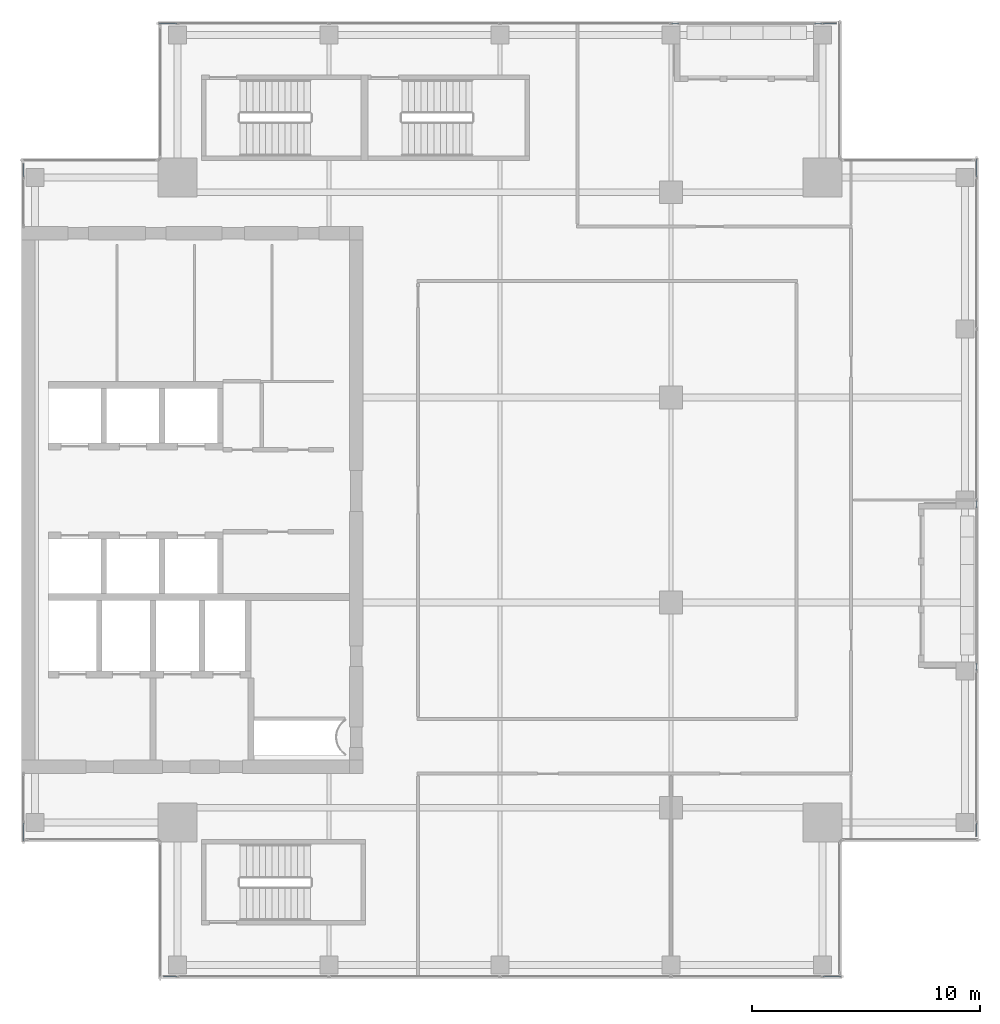
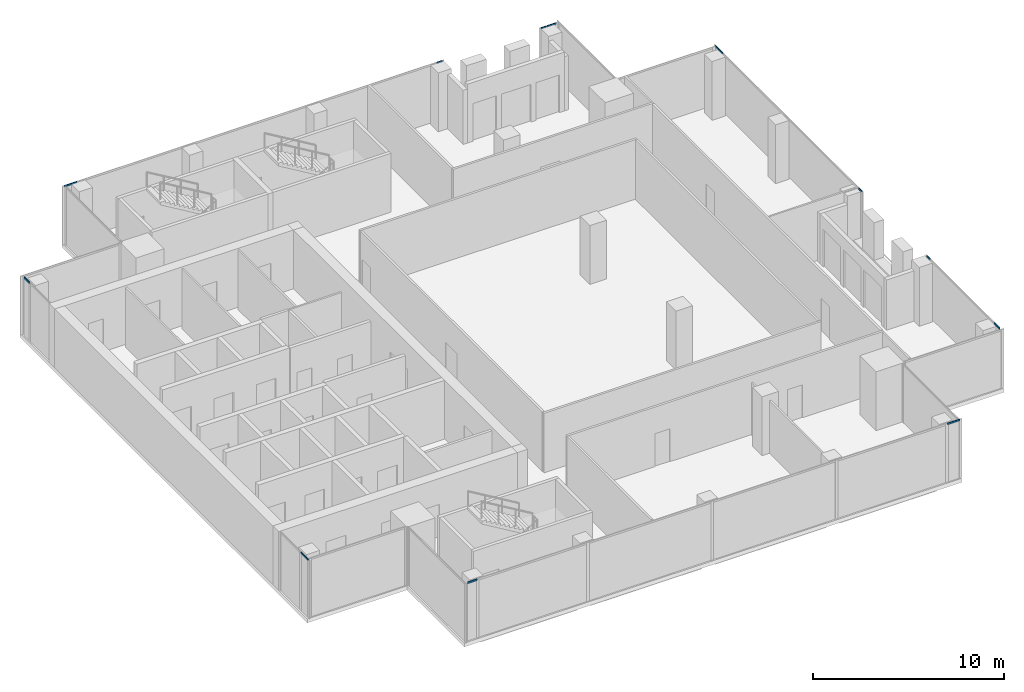
# One storey, part 19 of 29: 12 members, 7 elements without a shape of their own.
"""IFC4 building model written with IfcOpenShell, lengths in metres."""

from ifc_helpers import new_model, si_unit, direction, frame, origin, origin_2d, place, context, subcontext, project, spatial, hollow_rectangle, extrude, source, transform, mapped, material, material_profile, profile_set, type_object, element, aggregate, save


model = new_model("IFC4")

# Units and contexts
model_context = context("Model", 3, precision=1e-05, world=origin(), true_north=direction((0.0, 1.0)))
body_context = subcontext(model_context, "Body", "Model", "MODEL_VIEW")
ifc_project = project(units=[si_unit("LENGTHUNIT", "METRE"), si_unit("AREAUNIT", "SQUARE_METRE"), si_unit("VOLUMEUNIT", "CUBIC_METRE"), si_unit("PLANEANGLEUNIT", "RADIAN"), si_unit("MASSUNIT", "GRAM", prefix="KILO")], contexts=[model_context])

# Site, building, storey
site_placement = place(None, origin())
site = spatial("IfcSite", under=ifc_project, at=site_placement, CompositionType="ELEMENT")
building_placement = place(site_placement, origin())
building = spatial("IfcBuilding", under=site, at=building_placement, Name="Khomas Fold Tower", CompositionType="ELEMENT")
storey_placement = place(building_placement, frame((0.0, 0.0, 322.199951171875)))
storey = spatial("IfcBuildingStorey", under=building, at=storey_placement, Name="L73", CompositionType="ELEMENT", Elevation=322.199951171875)

# Curtain wall, member
ifc_material_1 = material(Name="Aluminium framed double glazing", Category="aluminium")
curtain_wall_type = type_object("IfcCurtainWallType", Name="SK-Unitised clear-glass wall, upper floors CW3", PredefinedType="NOTDEFINED", material=ifc_material_1)
curtain_wall_1_placement = place(storey_placement, origin())
curtain_wall_1 = element("IfcCurtainWall", 1, at=curtain_wall_1_placement, inside=storey, type_object=curtain_wall_type, Name="CW3 run L73 00-0", PredefinedType="NOTDEFINED")
ifc_material_2 = material(Name="Aluminium", Category="aluminium")
ifc_material_profile = material_profile(ifc_material_2, hollow_rectangle(XDim=0.050048828125, YDim=0.10009765625, WallThickness=0.00390625, at=origin_2d()), Name="SK-Unitised clear-glass wall, upper floors transom CW3-T")
ifc_profile_set = profile_set([ifc_material_profile], Name="Aluminium")
member_type = type_object("IfcMemberType", Name="SK-Unitised clear-glass wall, upper floors transom CW3-T", PredefinedType="USERDEFINED", material=ifc_profile_set)
shared_shape_1 = source(origin(), body_context, "Body", "SweptSolid", [
    extrude(hollow_rectangle(XDim=0.050048828125, YDim=0.10009765625, WallThickness=0.00390625, at=origin_2d()), origin(), (0.0, 0.0, 1.0), 0.574951171875),
])
member_1_placement = place(storey_placement, frame((12.25, 6.10009765625, 3.699951171875), z_axis=(1.0, 0.0, 0.0), x_axis=(0.0, 1.0, 0.0)))
member_1 = element("IfcMember", 2, at=member_1_placement, type_object=member_type, Name="CW3 transom 1", ObjectType="TRANSOM", PredefinedType="USERDEFINED", context=body_context, shape_type="MappedRepresentation", body=[
    mapped(shared_shape_1, transform((0.0, 0.0, 0.0))),
])

curtain_wall_2_placement = place(storey_placement, origin())
curtain_wall_2 = element("IfcCurtainWall", 3, at=curtain_wall_2_placement, inside=storey, type_object=curtain_wall_type, Name="CW3 run L73 03-0", PredefinedType="NOTDEFINED")
member_2_placement = place(storey_placement, frame((47.89990234375, 12.25, 3.699951171875), z_axis=(0.0, 1.0, 0.0), x_axis=(-1.0, 0.0, 0.0)))
member_2 = element("IfcMember", 4, at=member_2_placement, type_object=member_type, Name="CW3 transom 1", ObjectType="TRANSOM", PredefinedType="USERDEFINED", context=body_context, shape_type="MappedRepresentation", body=[
    mapped(shared_shape_1, transform((0.0, 0.0, 0.0))),
])

curtain_wall_3_placement = place(storey_placement, origin())
curtain_wall_3 = element("IfcCurtainWall", 5, at=curtain_wall_3_placement, inside=storey, type_object=curtain_wall_type, Name="CW3 run L73 06-0", PredefinedType="NOTDEFINED")
member_3_placement = place(storey_placement, frame((41.75, 47.89990234375, 3.699951171875), z_axis=(-1.0, 0.0, 0.0), x_axis=(0.0, -1.0, 0.0)))
member_3 = element("IfcMember", 6, at=member_3_placement, type_object=member_type, Name="CW3 transom 1", ObjectType="TRANSOM", PredefinedType="USERDEFINED", context=body_context, shape_type="MappedRepresentation", body=[
    mapped(shared_shape_1, transform((0.0, 0.0, 0.0))),
])

curtain_wall_4_placement = place(storey_placement, origin())
curtain_wall_4 = element("IfcCurtainWall", 7, at=curtain_wall_4_placement, inside=storey, type_object=curtain_wall_type, Name="CW3 run L73 09-0", PredefinedType="NOTDEFINED")
member_4_placement = place(storey_placement, frame((6.10009765625, 41.75, 3.699951171875), z_axis=(0.0, -1.0, 0.0), x_axis=(1.0, 0.0, 0.0)))
member_4 = element("IfcMember", 8, at=member_4_placement, type_object=member_type, Name="CW3 transom 1", ObjectType="TRANSOM", PredefinedType="USERDEFINED", context=body_context, shape_type="MappedRepresentation", body=[
    mapped(shared_shape_1, transform((0.0, 0.0, 0.0))),
])
aggregate(curtain_wall_4, [member_4])

# Member
shared_shape_2 = source(origin(), body_context, "Body", "SweptSolid", [
    extrude(hollow_rectangle(XDim=0.050048828125, YDim=0.10009765625, WallThickness=0.00390625, at=origin_2d()), origin(), (0.0, 0.0, 1.0), 0.77490234375),
])
member_5_placement = place(storey_placement, frame((41.175048828125, 6.10009765625, 3.699951171875), z_axis=(1.0, 0.0, 0.0), x_axis=(0.0, 1.0, 0.0)))
member_5 = element("IfcMember", 9, at=member_5_placement, type_object=member_type, Name="CW3 transom 6", ObjectType="TRANSOM", PredefinedType="USERDEFINED", context=body_context, shape_type="MappedRepresentation", body=[
    mapped(shared_shape_2, transform((0.0, 0.0, 0.0))),
])

aggregate(curtain_wall_1, [member_1, member_5])

# Curtain wall, member
curtain_wall_5_placement = place(storey_placement, origin())
curtain_wall_5 = element("IfcCurtainWall", 10, at=curtain_wall_5_placement, inside=storey, type_object=curtain_wall_type, Name="CW3 run L73 03-1", PredefinedType="NOTDEFINED")
member_6_placement = place(storey_placement, frame((47.89990234375, 41.175048828125, 3.699951171875), z_axis=(0.0, 1.0, 0.0), x_axis=(-1.0, 0.0, 0.0)))
member_6 = element("IfcMember", 11, at=member_6_placement, type_object=member_type, Name="CW3 transom 4", ObjectType="TRANSOM", PredefinedType="USERDEFINED", context=body_context, shape_type="MappedRepresentation", body=[
    mapped(shared_shape_2, transform((0.0, 0.0, 0.0))),
])

curtain_wall_6_placement = place(storey_placement, origin())
curtain_wall_6 = element("IfcCurtainWall", 12, at=curtain_wall_6_placement, inside=storey, type_object=curtain_wall_type, Name="CW3 run L73 06-1", PredefinedType="NOTDEFINED")
member_7_placement = place(storey_placement, frame((12.824951171875, 47.89990234375, 3.699951171875), z_axis=(-1.0, 0.0, 0.0), x_axis=(0.0, -1.0, 0.0)))
member_7 = element("IfcMember", 13, at=member_7_placement, type_object=member_type, Name="CW3 transom 5", ObjectType="TRANSOM", PredefinedType="USERDEFINED", context=body_context, shape_type="MappedRepresentation", body=[
    mapped(shared_shape_2, transform((0.0, 0.0, 0.0))),
])

curtain_wall_7_placement = place(storey_placement, origin())
curtain_wall_7 = element("IfcCurtainWall", 14, at=curtain_wall_7_placement, inside=storey, type_object=curtain_wall_type, Name="CW3 run L73 09-1", PredefinedType="NOTDEFINED")
member_8_placement = place(storey_placement, frame((6.10009765625, 12.824951171875, 3.699951171875), z_axis=(0.0, -1.0, 0.0), x_axis=(1.0, 0.0, 0.0)))
member_8 = element("IfcMember", 15, at=member_8_placement, type_object=member_type, Name="CW3 transom 2", ObjectType="TRANSOM", PredefinedType="USERDEFINED", context=body_context, shape_type="MappedRepresentation", body=[
    mapped(shared_shape_2, transform((0.0, 0.0, 0.0))),
])
aggregate(curtain_wall_7, [member_8])

# Member
shared_shape_3 = source(origin(), body_context, "Body", "SweptSolid", [
    extrude(hollow_rectangle(XDim=0.050048828125, YDim=0.10009765625, WallThickness=0.00390625, at=origin_2d()), origin(), (0.0, 0.0, 1.0), 0.3251953125),
])
member_9_placement = place(storey_placement, frame((47.89990234375, 19.52490234375, 3.699951171875), z_axis=(0.0, 1.0, 0.0), x_axis=(-1.0, 0.0, 0.0)))
member_9 = element("IfcMember", 16, at=member_9_placement, type_object=member_type, Name="CW3 transom 3", ObjectType="TRANSOM", PredefinedType="USERDEFINED", context=body_context, shape_type="MappedRepresentation", body=[
    mapped(shared_shape_3, transform((0.0, 0.0, 0.0))),
])

aggregate(curtain_wall_2, [member_2, member_9])

member_10_placement = place(storey_placement, frame((47.89990234375, 26.64990234375, 3.699951171875), z_axis=(0.0, 1.0, 0.0), x_axis=(-1.0, 0.0, 0.0)))
member_10 = element("IfcMember", 17, at=member_10_placement, type_object=member_type, Name="CW3 transom 1", ObjectType="TRANSOM", PredefinedType="USERDEFINED", context=body_context, shape_type="MappedRepresentation", body=[
    mapped(shared_shape_3, transform((0.0, 0.0, 0.0))),
])

aggregate(curtain_wall_5, [member_10, member_6])

member_11_placement = place(storey_placement, frame((34.85009765625, 47.89990234375, 3.699951171875), z_axis=(-1.0, 0.0, 0.0), x_axis=(0.0, -1.0, 0.0)))
member_11 = element("IfcMember", 18, at=member_11_placement, type_object=member_type, Name="CW3 transom 1", ObjectType="TRANSOM", PredefinedType="USERDEFINED", context=body_context, shape_type="MappedRepresentation", body=[
    mapped(shared_shape_3, transform((0.0, 0.0, 0.0))),
])

aggregate(curtain_wall_6, [member_11, member_7])

shared_shape_4 = source(origin(), body_context, "Body", "SweptSolid", [
    extrude(hollow_rectangle(XDim=0.050048828125, YDim=0.10009765625, WallThickness=0.00390625, at=origin_2d()), origin(), (0.0, 0.0, 1.0), 0.324951171875),
])
member_12_placement = place(storey_placement, frame((41.125, 47.89990234375, 3.699951171875), z_axis=(-1.0, 0.0, 0.0), x_axis=(0.0, -1.0, 0.0)))
member_12 = element("IfcMember", 19, at=member_12_placement, type_object=member_type, Name="CW3 transom 2", ObjectType="TRANSOM", PredefinedType="USERDEFINED", context=body_context, shape_type="MappedRepresentation", body=[
    mapped(shared_shape_4, transform((0.0, 0.0, 0.0))),
])

aggregate(curtain_wall_3, [member_3, member_12])

save(model, "model.ifc")
